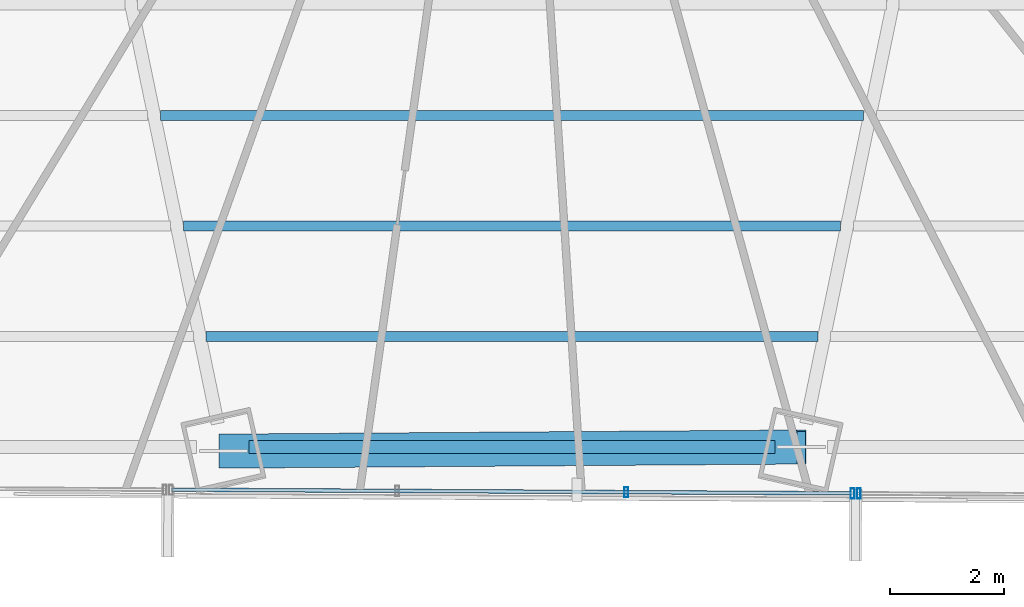
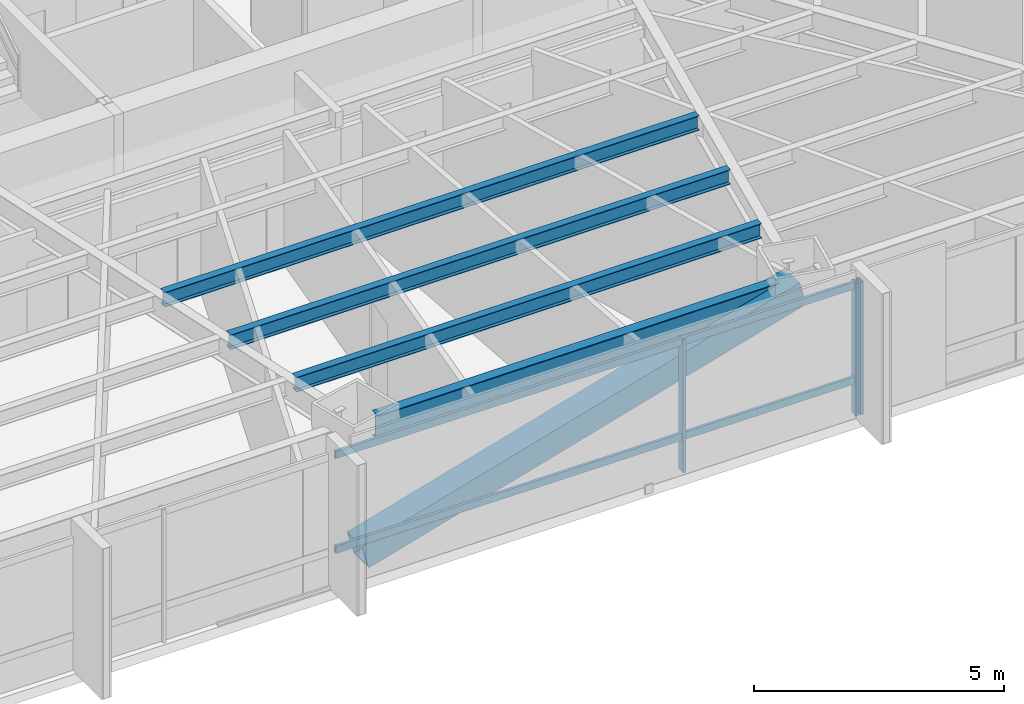
# One storey, part 9 of 39: 6 members, 4 beams, 2 elements without a shape of their own.
"""IFC4 building model written with IfcOpenShell, lengths in metres."""

from ifc_helpers import new_model, si_unit, direction, frame, origin, origin_2d, place, context, subcontext, project, spatial, hollow_rectangle, i_section, extrude, source, transform, mapped, material, material_profile, profile_set, type_object, type_shapes, element, aggregate, save


model = new_model("IFC4")

# Units and contexts
model_context = context("Model", 3, precision=1e-05, world=origin(), true_north=direction((0.0, 1.0)))
body_context = subcontext(model_context, "Body", "Model", "MODEL_VIEW")
ifc_project = project(units=[si_unit("LENGTHUNIT", "METRE"), si_unit("AREAUNIT", "SQUARE_METRE"), si_unit("VOLUMEUNIT", "CUBIC_METRE"), si_unit("PLANEANGLEUNIT", "RADIAN"), si_unit("MASSUNIT", "GRAM", prefix="KILO")], contexts=[model_context])

# Site, building, storey
site_placement = place(None, origin())
site = spatial("IfcSite", under=ifc_project, at=site_placement, CompositionType="ELEMENT")
building_placement = place(site_placement, origin())
building = spatial("IfcBuilding", under=site, at=building_placement, Name="Caelisora Broadcast Tower", CompositionType="ELEMENT")
storey_placement = place(building_placement, frame((0.0, 0.0, 71.39990234375)))
storey = spatial("IfcBuildingStorey", under=building, at=storey_placement, Name="L18", CompositionType="ELEMENT", Elevation=71.39990234375)

# Beams
ifc_material_1 = material(Name="Steel Grade 350 (AS/NZS 3679.1)", Category="steel")
ifc_material_profile_1 = material_profile(ifc_material_1, i_section(OverallWidth=0.22900390625, OverallDepth=0.611572265625, WebThickness=0.011962890625, FlangeThickness=0.01953125, at=origin_2d()), Name="Steel Grade 350 (AS/NZS 3679.1)")
ifc_profile_set_1 = profile_set([ifc_material_profile_1], Name="Steel Grade 350 (AS/NZS 3679.1)")
beam_type_1 = type_object("IfcBeamType", Name="PG03", PredefinedType="BEAM", material=ifc_profile_set_1)
shared_shape_1 = source(origin(), body_context, "Body", "SweptSolid", [
    extrude(i_section(OverallWidth=0.22900390625, OverallDepth=0.611572265625, WebThickness=0.011962890625, FlangeThickness=0.01953125, at=origin_2d()), origin(), (0.0, 0.0, 1.0), 9.26123046875),
])
type_shapes(beam_type_1, [shared_shape_1])
beam_1_placement = place(storey_placement, frame((33.369384765625, 5.739990234375, 2.9443359375), z_axis=(1.0, 0.0, 0.0), x_axis=(0.0, 1.0, 0.0)))
element("IfcBeam", 1, at=beam_1_placement, inside=storey, type_object=beam_type_1, Name="L18 beam PG03", PredefinedType="BEAM", context=body_context, shape_type="MappedRepresentation", body=[
    mapped(shared_shape_1, transform((0.0, 0.0, 0.0), scale=1.0)),
])
ifc_material_profile_2 = material_profile(ifc_material_1, i_section(OverallWidth=0.172119140625, OverallDepth=0.358642578125, WebThickness=0.008056640625, FlangeThickness=0.012939453125, at=origin_2d()), Name="Steel Grade 350 (AS/NZS 3679.1)")
ifc_profile_set_2 = profile_set([ifc_material_profile_2], Name="Steel Grade 350 (AS/NZS 3679.1)")
beam_type_2 = type_object("IfcBeamType", Name="SB02", PredefinedType="JOIST", material=ifc_profile_set_2)
shared_shape_2 = source(origin(), body_context, "Body", "SweptSolid", [
    extrude(i_section(OverallWidth=0.172119140625, OverallDepth=0.358642578125, WebThickness=0.008056640625, FlangeThickness=0.012939453125, at=origin_2d()), origin(), (0.0, 0.0, 1.0), 12.36376953125),
])
beam_2_placement = place(storey_placement, frame((31.818115234375, 11.56982421875, 3.07080078125), z_axis=(1.0, 0.0, 0.0), x_axis=(0.0, 1.0, 0.0)))
element("IfcBeam", 2, at=beam_2_placement, inside=storey, type_object=beam_type_2, Name="L18 beam SB02", PredefinedType="JOIST", context=body_context, shape_type="MappedRepresentation", body=[
    mapped(shared_shape_2, transform((0.0, 0.0, 0.0), scale=1.0)),
])
shared_shape_3 = source(origin(), body_context, "Body", "SweptSolid", [
    extrude(i_section(OverallWidth=0.172119140625, OverallDepth=0.358642578125, WebThickness=0.008056640625, FlangeThickness=0.012939453125, at=origin_2d()), origin(), (0.0, 0.0, 1.0), 11.560546875),
])
beam_3_placement = place(storey_placement, frame((32.2197265625, 9.626708984375, 3.07080078125), z_axis=(1.0, 0.0, 0.0), x_axis=(0.0, 1.0, 0.0)))
element("IfcBeam", 3, at=beam_3_placement, inside=storey, type_object=beam_type_2, Name="L18 beam SB02", PredefinedType="JOIST", context=body_context, shape_type="MappedRepresentation", body=[
    mapped(shared_shape_3, transform((0.0, 0.0, 0.0), scale=1.0)),
])
shared_shape_4 = source(origin(), body_context, "Body", "SweptSolid", [
    extrude(i_section(OverallWidth=0.172119140625, OverallDepth=0.358642578125, WebThickness=0.008056640625, FlangeThickness=0.012939453125, at=origin_2d()), origin(), (0.0, 0.0, 1.0), 10.75732421875),
])
type_shapes(beam_type_2, [shared_shape_2, shared_shape_3, shared_shape_4])
beam_4_placement = place(storey_placement, frame((32.621337890625, 7.68310546875, 3.07080078125), z_axis=(1.0, 0.0, 0.0), x_axis=(0.0, 1.0, 0.0)))
element("IfcBeam", 4, at=beam_4_placement, inside=storey, type_object=beam_type_2, Name="L18 beam SB02", PredefinedType="JOIST", context=body_context, shape_type="MappedRepresentation", body=[
    mapped(shared_shape_4, transform((0.0, 0.0, 0.0), scale=1.0)),
])

# Member
ifc_material_2 = material(Name="Steel Grade 450 L15 (AS/NZS 3678)", Category="steel")
ifc_material_profile_3 = material_profile(ifc_material_2, hollow_rectangle(XDim=0.60009765625, YDim=0.60009765625, WallThickness=0.02490234375, at=origin_2d()), Name="Steel Grade 450 L15 (AS/NZS 3678)")
ifc_profile_set_3 = profile_set([ifc_material_profile_3], Name="Steel Grade 450 L15 (AS/NZS 3678)")
member_type_1 = type_object("IfcMemberType", Name="BR01", PredefinedType="BRACE", material=ifc_profile_set_3)
shared_shape_5 = source(origin(), body_context, "Body", "SweptSolid", [
    extrude(hollow_rectangle(XDim=0.60009765625, YDim=0.60009765625, WallThickness=0.02490234375, at=origin_2d()), origin(), (0.0, 0.0, 1.0), 10.55712890625),
])
type_shapes(member_type_1, [shared_shape_5])
member_1_placement = place(storey_placement, frame((32.92578125, 5.66748046875, 0.10009765625), z_axis=(0.962843970494, 0.006868371784, 0.269970950199), x_axis=(-0.007133239913, 0.999974558121, 0.0)))
element("IfcMember", 5, at=member_1_placement, inside=storey, type_object=member_type_1, Name="L18 perimeter brace BR01", PredefinedType="BRACE", context=body_context, shape_type="MappedRepresentation", body=[
    mapped(shared_shape_5, transform((0.0, 0.0, 0.0), scale=1.0)),
])

# Curtain wall, member
ifc_material_3 = material(Name="Unitised Aluminium and Low-E Glass Curtain Wall", Category="glass")
curtain_wall_type_1 = type_object("IfcCurtainWallType", Name="CW-Z1", PredefinedType="NOTDEFINED", material=ifc_material_3)
curtain_wall_1_placement = place(storey_placement, origin())
curtain_wall_1 = element("IfcCurtainWall", 6, at=curtain_wall_1_placement, inside=storey, type_object=curtain_wall_type_1, Name="L18 curtain wall CW-Z1", PredefinedType="NOTDEFINED")
ifc_material_4 = material(Name="Aluminium 6063-T6 Anodised Terracotta Bronze", Category="aluminium")
ifc_material_profile_4 = material_profile(ifc_material_4, hollow_rectangle(XDim=0.06494140625, YDim=0.179931640625, WallThickness=0.00341796875, at=origin_2d()), Name="Aluminium 6063-T6 Anodised Terracotta Bronze")
ifc_profile_set_4 = profile_set([ifc_material_profile_4], Name="Aluminium 6063-T6 Anodised Terracotta Bronze")
member_type_2 = type_object("IfcMemberType", Name="CWM-02", PredefinedType="MULLION", material=ifc_profile_set_4)
shared_shape_6 = source(origin(), body_context, "Body", "SweptSolid", [
    extrude(hollow_rectangle(XDim=0.06494140625, YDim=0.179931640625, WallThickness=0.00341796875, at=origin_2d()), origin(), (0.0, 0.0, 1.0), 3.25),
])
type_shapes(member_type_2, [shared_shape_6])
member_2_placement = place(storey_placement, frame((44.10009765625, 4.92333984375, 0.0), z_axis=(0.0, 0.0, 1.0), x_axis=(1.0, 0.0, 0.0)))
member_2 = element("IfcMember", 7, at=member_2_placement, type_object=member_type_2, Name="L18-CW-B05 mullion #3", PredefinedType="MULLION", context=body_context, shape_type="MappedRepresentation", body=[
    mapped(shared_shape_6, transform((0.0, 0.0, 0.0), scale=1.0)),
])
aggregate(curtain_wall_1, [member_2])

# Curtain wall, members
ifc_material_5 = material(Name="Unitised Aluminium Insulated Shadow-Box Spandrel Curtain Wall", Category="aluminium")
curtain_wall_type_2 = type_object("IfcCurtainWallType", Name="CW-SP1", PredefinedType="NOTDEFINED", material=ifc_material_5)
curtain_wall_2_placement = place(storey_placement, origin())
curtain_wall_2 = element("IfcCurtainWall", 8, at=curtain_wall_2_placement, inside=storey, type_object=curtain_wall_type_2, Name="L18 curtain wall CW-SP1", PredefinedType="NOTDEFINED")
member_3_placement = place(storey_placement, frame((43.989990234375, 4.924072265625, 0.0), z_axis=(0.0, 0.0, 1.0), x_axis=(1.0, 0.0, 0.0)))
member_3 = element("IfcMember", 9, at=member_3_placement, type_object=member_type_2, Name="L18-CW-B06 mullion #0", PredefinedType="MULLION", context=body_context, shape_type="MappedRepresentation", body=[
    mapped(shared_shape_6, transform((0.0, 0.0, 0.0), scale=1.0)),
])
member_4_placement = place(storey_placement, frame((40.0107421875, 4.94580078125, 0.0), z_axis=(0.0, 0.0, 1.0), x_axis=(1.0, 0.0, 0.0)))
member_4 = element("IfcMember", 10, at=member_4_placement, type_object=member_type_2, Name="L18-CW-B06 mullion #1", PredefinedType="MULLION", context=body_context, shape_type="MappedRepresentation", body=[
    mapped(shared_shape_6, transform((0.0, 0.0, 0.0), scale=1.0)),
])
ifc_material_profile_5 = material_profile(ifc_material_4, hollow_rectangle(XDim=0.06494140625, YDim=0.179931640625, WallThickness=0.00341796875, at=origin_2d()), Name="Aluminium 6063-T6 Anodised Terracotta Bronze")
ifc_profile_set_5 = profile_set([ifc_material_profile_5], Name="Aluminium 6063-T6 Anodised Terracotta Bronze")
member_type_3 = type_object("IfcMemberType", Name="CWT-01", PredefinedType="USERDEFINED", material=ifc_profile_set_5)
shared_shape_7 = source(origin(), body_context, "Body", "SweptSolid", [
    extrude(hollow_rectangle(XDim=0.06494140625, YDim=0.179931640625, WallThickness=0.00341796875, at=origin_2d()), origin(), (0.0, 0.0, 1.0), 11.988037109375),
])
type_shapes(member_type_3, [shared_shape_7])
member_5_placement = place(storey_placement, frame((43.989990234375, 4.924072265625, 0.85009765625), z_axis=(-0.999985105308, 0.005457944854, 0.0), x_axis=(-0.005457944854, -0.999985105308, 0.0)))
member_5 = element("IfcMember", 11, at=member_5_placement, type_object=member_type_3, Name="L18-CW-B06 transom #1", ObjectType="TRANSOM", PredefinedType="USERDEFINED", context=body_context, shape_type="MappedRepresentation", body=[
    mapped(shared_shape_7, transform((0.0, 0.0, 0.0), scale=1.0)),
])
member_6_placement = place(storey_placement, frame((43.989990234375, 4.924072265625, 3.170166015625), z_axis=(-0.999985105308, 0.005457944854, 0.0), x_axis=(-0.005457944854, -0.999985105308, 0.0)))
member_6 = element("IfcMember", 12, at=member_6_placement, type_object=member_type_3, Name="L18-CW-B06 transom #2", ObjectType="TRANSOM", PredefinedType="USERDEFINED", context=body_context, shape_type="MappedRepresentation", body=[
    mapped(shared_shape_7, transform((0.0, 0.0, 0.0), scale=1.0)),
])
aggregate(curtain_wall_2, [member_3, member_4, member_5, member_6])

save(model, "model.ifc")
